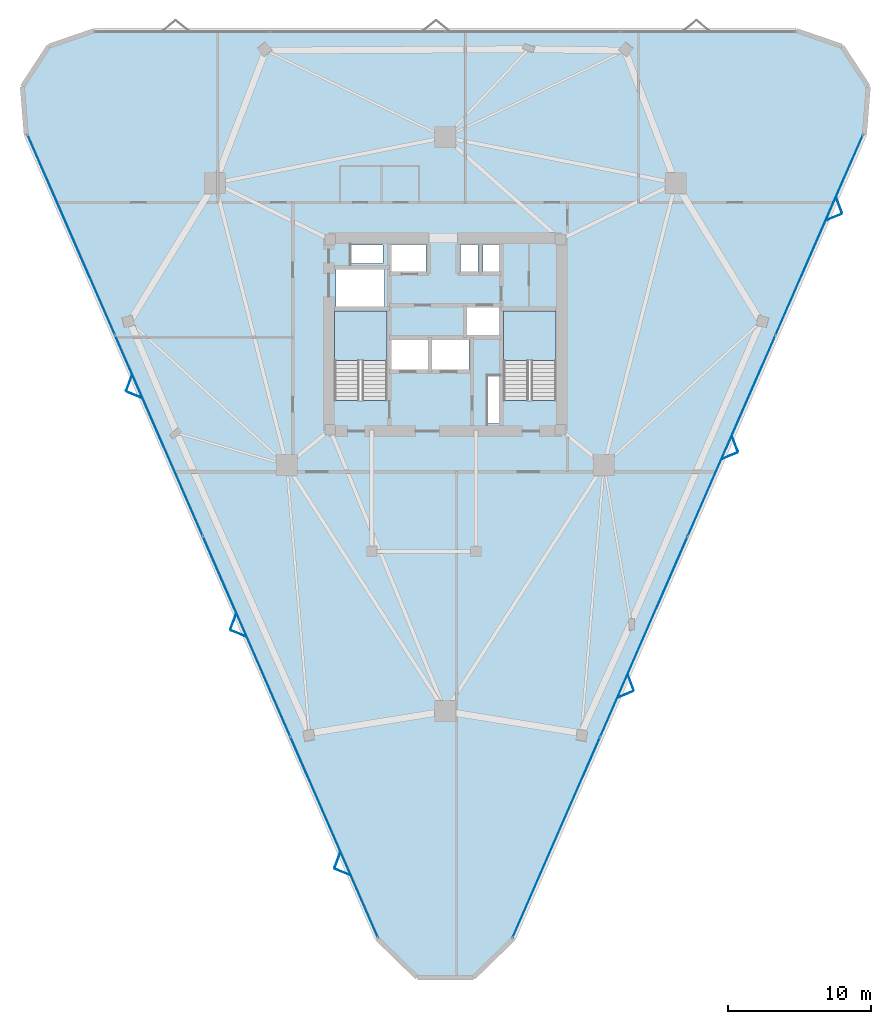
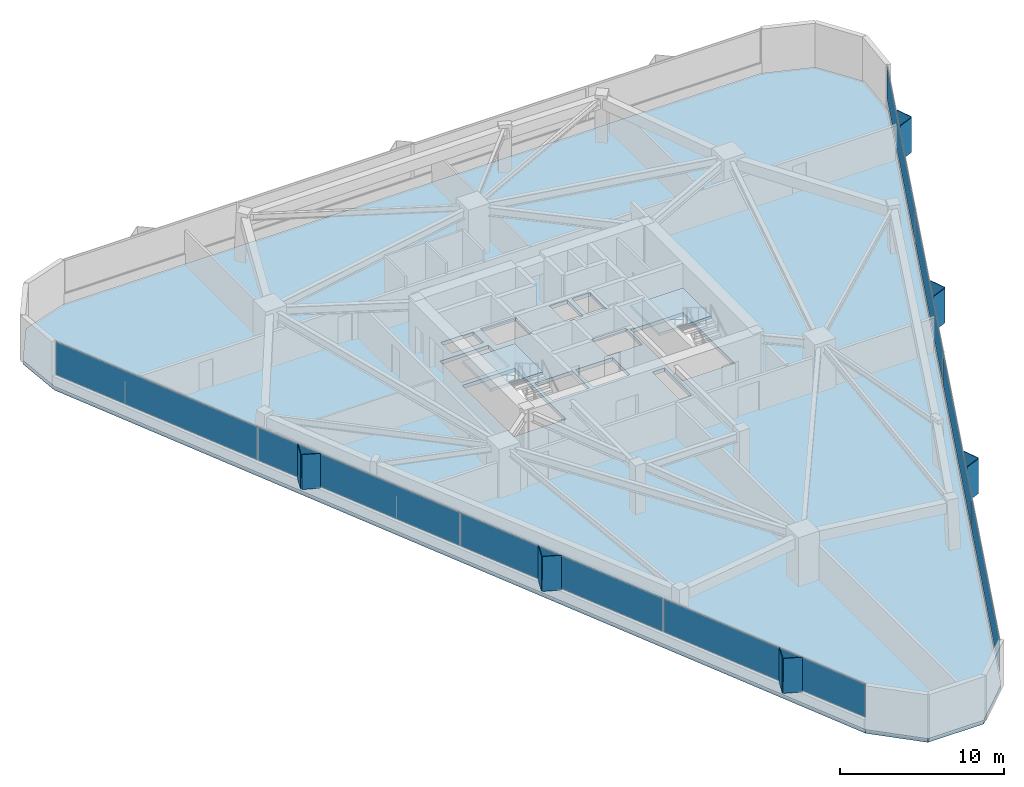
# One storey, part 10 of 14: 20 plates, 3 slabs, 4 elements without a shape of their own.
"""IFC4 building model written with IfcOpenShell, lengths in metres."""

from ifc_helpers import new_model, si_unit, direction, frame, origin, origin_2d, place, context, subcontext, project, spatial, polyline, rectangle, outline, extrude, material, layer, layer_set, type_object, element, aggregate, save


model = new_model("IFC4")

# Units and contexts
model_context = context("Model", 3, precision=1e-05, world=origin(), true_north=direction((0.0, 1.0)))
body_context = subcontext(model_context, "Body", "Model", "MODEL_VIEW")
ifc_project = project(units=[si_unit("LENGTHUNIT", "METRE"), si_unit("AREAUNIT", "SQUARE_METRE"), si_unit("VOLUMEUNIT", "CUBIC_METRE"), si_unit("PLANEANGLEUNIT", "RADIAN"), si_unit("MASSUNIT", "GRAM", prefix="KILO")], contexts=[model_context])

# Site, building, storey
site_placement = place(None, origin())
site = spatial("IfcSite", under=ifc_project, at=site_placement, CompositionType="ELEMENT")
building_placement = place(site_placement, origin())
building = spatial("IfcBuilding", under=site, at=building_placement, Name="Talyreon Biosciences Tower", CompositionType="ELEMENT")
storey_placement = place(building_placement, frame((0.0, 0.0, 130.85009765625)))
storey = spatial("IfcBuildingStorey", under=building, at=storey_placement, Name="L34", CompositionType="ELEMENT", Elevation=130.85009765625)

# Curtain wall, plates
ifc_material_1 = material(Name="Thermally broken aluminium and low-E glazing", Category="aluminium")
ifc_layer_1 = layer(ifc_material_1, 0.18505859375)
ifc_layer_set_1 = layer_set([ifc_layer_1], Name="Thermally broken aluminium and low-E glazing")
curtain_wall_type = type_object("IfcCurtainWallType", Name="CurtainWall_Zone3Bioprocess", PredefinedType="NOTDEFINED", material=ifc_layer_set_1)
curtain_wall_1_placement = place(storey_placement, origin())
curtain_wall_1 = element("IfcCurtainWall", 1, at=curtain_wall_1_placement, inside=storey, type_object=curtain_wall_type, Name="L34 Unitised Curtain Wall FCW-L34-00", PredefinedType="NOTDEFINED")
ifc_material_2 = material(Name="Triple-silver low-E insulated glazing", Category="glass")
ifc_layer_2 = layer(ifc_material_2, 0.031982421875)
ifc_layer_set_2 = layer_set([ifc_layer_2], Name="Triple-silver low-E insulated glazing")
plate_type_1 = type_object("IfcPlateType", Name="CWGlazingPanel_32", PredefinedType="CURTAIN_PANEL", material=ifc_layer_set_2)
plate_1_placement = place(storey_placement, frame((58.235595703125, 32.8623046875, 0.874755859375), z_axis=(0.0, 0.0, 1.0), x_axis=(-0.400058495919, 0.916489607057, 0.0)))
plate_1 = element("IfcPlate", 2, at=plate_1_placement, type_object=plate_type_1, Name="CW4 panel 1.1", PredefinedType="CURTAIN_PANEL", context=body_context, shape_type="SweptSolid", body=[
    extrude(rectangle(XDim=15.227294921875, YDim=0.031982421875, at=origin_2d()), origin(), (0.0, 0.0, 1.0), 2.43505859375),
])
plate_2_placement = place(storey_placement, frame((52.111328125, 46.892333984375, 0.874755859375), z_axis=(0.0, 0.0, 1.0), x_axis=(-0.400058495919, 0.916489607057, 0.0)))
plate_2 = element("IfcPlate", 3, at=plate_2_placement, type_object=plate_type_1, Name="CW4 panel 2.1", PredefinedType="CURTAIN_PANEL", context=body_context, shape_type="SweptSolid", body=[
    extrude(rectangle(XDim=15.259765625, YDim=0.031982421875, at=origin_2d()), origin(), (0.0, 0.0, 1.0), 2.43505859375),
])
plate_3_placement = place(storey_placement, frame((45.980712890625, 60.937255859375, 0.874755859375), z_axis=(0.0, 0.0, 1.0), x_axis=(-0.400058495919, 0.916489607057, 0.0)))
plate_3 = element("IfcPlate", 4, at=plate_3_placement, type_object=plate_type_1, Name="CW4 panel 3.1", PredefinedType="CURTAIN_PANEL", context=body_context, shape_type="SweptSolid", body=[
    extrude(rectangle(XDim=15.259765625, YDim=0.031982421875, at=origin_2d()), origin(), (0.0, 0.0, 1.0), 2.43505859375),
])
plate_4_placement = place(storey_placement, frame((39.8564453125, 74.96728515625, 0.874755859375), z_axis=(0.0, 0.0, 1.0), x_axis=(-0.400058495919, 0.916489607057, 0.0)))
plate_4 = element("IfcPlate", 5, at=plate_4_placement, type_object=plate_type_1, Name="CW4 panel 4.1", PredefinedType="CURTAIN_PANEL", context=body_context, shape_type="SweptSolid", body=[
    extrude(rectangle(XDim=15.227294921875, YDim=0.031982421875, at=origin_2d()), origin(), (0.0, 0.0, 1.0), 2.43505859375),
])
aggregate(curtain_wall_1, [plate_1, plate_2, plate_3, plate_4])

curtain_wall_2_placement = place(storey_placement, origin())
curtain_wall_2 = element("IfcCurtainWall", 6, at=curtain_wall_2_placement, inside=storey, type_object=curtain_wall_type, Name="L34 Unitised Curtain Wall FCW-L34-08", PredefinedType="NOTDEFINED")
plate_5_placement = place(storey_placement, frame((92.1435546875, 74.96728515625, 0.874755859375), z_axis=(0.0, 0.0, 1.0), x_axis=(-0.400058495919, -0.916489607057, 0.0)))
plate_5 = element("IfcPlate", 7, at=plate_5_placement, type_object=plate_type_1, Name="CW4 panel 1.1", PredefinedType="CURTAIN_PANEL", context=body_context, shape_type="SweptSolid", body=[
    extrude(rectangle(XDim=15.227294921875, YDim=0.031982421875, at=origin_2d()), origin(), (0.0, 0.0, 1.0), 2.43505859375),
])
plate_6_placement = place(storey_placement, frame((86.019287109375, 60.937255859375, 0.874755859375), z_axis=(0.0, 0.0, 1.0), x_axis=(-0.400058495919, -0.916489607057, 0.0)))
plate_6 = element("IfcPlate", 8, at=plate_6_placement, type_object=plate_type_1, Name="CW4 panel 2.1", PredefinedType="CURTAIN_PANEL", context=body_context, shape_type="SweptSolid", body=[
    extrude(rectangle(XDim=15.259765625, YDim=0.031982421875, at=origin_2d()), origin(), (0.0, 0.0, 1.0), 2.43505859375),
])
plate_7_placement = place(storey_placement, frame((79.888671875, 46.892333984375, 0.874755859375), z_axis=(0.0, 0.0, 1.0), x_axis=(-0.400058495919, -0.916489607057, 0.0)))
plate_7 = element("IfcPlate", 9, at=plate_7_placement, type_object=plate_type_1, Name="CW4 panel 3.1", PredefinedType="CURTAIN_PANEL", context=body_context, shape_type="SweptSolid", body=[
    extrude(rectangle(XDim=15.259765625, YDim=0.031982421875, at=origin_2d()), origin(), (0.0, 0.0, 1.0), 2.43505859375),
])
plate_8_placement = place(storey_placement, frame((73.764404296875, 32.8623046875, 0.874755859375), z_axis=(0.0, 0.0, 1.0), x_axis=(-0.400058495919, -0.916489607057, 0.0)))
plate_8 = element("IfcPlate", 10, at=plate_8_placement, type_object=plate_type_1, Name="CW4 panel 4.1", PredefinedType="CURTAIN_PANEL", context=body_context, shape_type="SweptSolid", body=[
    extrude(rectangle(XDim=15.227294921875, YDim=0.031982421875, at=origin_2d()), origin(), (0.0, 0.0, 1.0), 2.43505859375),
])
aggregate(curtain_wall_2, [plate_5, plate_6, plate_7, plate_8])

# Plates
ifc_material_3 = material(Name="Ivory GFRC sunshade panel", Category="concrete")
ifc_layer_3 = layer(ifc_material_3, 0.044921875)
ifc_layer_set_3 = layer_set([ifc_layer_3], Name="Ivory GFRC sunshade panel")
plate_type_2 = type_object("IfcPlateType", Name="FoldedVSunshade_SunFace_SUNSHADE", PredefinedType="USERDEFINED", material=ifc_layer_set_3)
for number, where, z_axis, x_axis, name in (
    (11, (58.816162109375, 30.43310546875, 0.7900390625), (0.0, 0.0, 1.0), (-0.9244262712, 0.381360812243, 0.0), "L34 Folded V-Sunshade Panel 00.01L"),
    (12, (58.4560546875, 31.2578125, 0.7900390625), (0.0, 0.0, 1.0), (0.348866485937, 0.937172436102, 0.0), "L34 Folded V-Sunshade Panel 00.01R"),
    (13, (51.534912109375, 47.11328125, 0.7900390625), (0.0, 0.0, 1.0), (-0.9244262712, 0.381360812243, 0.0), "L34 Folded V-Sunshade Panel 00.02L"),
    (14, (51.1748046875, 47.93798828125, 0.7900390625), (0.0, 0.0, 1.0), (0.348866485937, 0.937172436102, 0.0), "L34 Folded V-Sunshade Panel 00.02R"),
    (15, (44.25390625, 63.793212890625, 0.7900390625), (0.0, 0.0, 1.0), (-0.9244262712, 0.381360812243, 0.0), "L34 Folded V-Sunshade Panel 00.03L"),
    (16, (43.893798828125, 64.6181640625, 0.7900390625), (0.0, 0.0, 1.0), (0.348866485937, 0.937172436102, 0.0), "L34 Folded V-Sunshade Panel 00.03R"),
    (17, (93.530517578125, 77.044677734375, 0.7900390625), (0.0, 0.0, 1.0), (0.348866485937, -0.937172436102, 0.0), "L34 Folded V-Sunshade Panel 08.01L"),
    (18, (93.17041015625, 76.2197265625, 0.7900390625), (0.0, 0.0, 1.0), (-0.9244262712, -0.381360812243, 0.0), "L34 Folded V-Sunshade Panel 08.01R"),
    (19, (86.24951171875, 60.364501953125, 0.7900390625), (0.0, 0.0, 1.0), (0.348866485937, -0.937172436102, 0.0), "L34 Folded V-Sunshade Panel 08.02L"),
    (20, (85.889404296875, 59.539794921875, 0.7900390625), (0.0, 0.0, 1.0), (-0.9244262712, -0.381360812243, 0.0), "L34 Folded V-Sunshade Panel 08.02R"),
    (21, (78.96826171875, 43.684326171875, 0.7900390625), (0.0, 0.0, 1.0), (0.348866485937, -0.937172436102, 0.0), "L34 Folded V-Sunshade Panel 08.03L"),
    (22, (78.608154296875, 42.859619140625, 0.7900390625), (0.0, 0.0, 1.0), (-0.9244262712, -0.381360812243, 0.0), "L34 Folded V-Sunshade Panel 08.03R"),
):
    element("IfcPlate", number, at=place(storey_placement, frame(where, z_axis=z_axis, x_axis=x_axis)), inside=storey, type_object=plate_type_2, Name=name, ObjectType="SUNSHADE", PredefinedType="USERDEFINED", context=body_context, shape_type="SweptSolid", body=[
        extrude(rectangle(XDim=1.14990234375, YDim=0.044921875, at=origin_2d()), origin(), (0.0, 0.0, 1.0), 2.5849609375),
    ])

# Stair, slab
ifc_material_4 = material(Name="Concrete C40/50", Category="concrete")
stair_type = type_object("IfcStairType", Name="DoglegEscapeStair_3650", PredefinedType="HALF_TURN_STAIR", material=ifc_material_4)
stair_1_placement = place(storey_placement, origin())
stair_1 = element("IfcStair", 23, at=stair_1_placement, inside=storey, type_object=stair_type, Name="L34 Core Escape Stair 1", PredefinedType="HALF_TURN_STAIR")
ifc_layer_4 = layer(ifc_material_4, 0.199951171875)
ifc_layer_set_4 = layer_set([ifc_layer_4], Name="Concrete C40/50")
slab_type_1 = type_object("IfcSlabType", Name="StairLandingSlab_200", PredefinedType="LANDING", material=ifc_layer_set_4)
slab_1_placement = place(storey_placement, frame((0.0, 0.0, 1.625)))
slab_1 = element("IfcSlab", 24, at=slab_1_placement, type_object=slab_type_1, Name="ST-1 landing 1", PredefinedType="LANDING", context=body_context, shape_type="SweptSolid", body=[
    extrude(outline(polyline([(61.929931640625, 66.199951171875), (61.929931640625, 69.64990234375), (58.25, 69.64990234375), (58.25, 66.199951171875), (61.929931640625, 66.199951171875)])), origin(), (0.0, 0.0, 1.0), 0.199951171875),
])
aggregate(stair_1, [slab_1])

stair_2_placement = place(storey_placement, origin())
stair_2 = element("IfcStair", 25, at=stair_2_placement, inside=storey, type_object=stair_type, Name="L34 Core Escape Stair 2", PredefinedType="HALF_TURN_STAIR")
slab_2_placement = place(storey_placement, frame((0.0, 0.0, 1.625)))
slab_2 = element("IfcSlab", 26, at=slab_2_placement, type_object=slab_type_1, Name="ST-2 landing 1", PredefinedType="LANDING", context=body_context, shape_type="SweptSolid", body=[
    extrude(outline(polyline([(73.75, 66.199951171875), (73.75, 69.64990234375), (70.070068359375, 69.64990234375), (70.070068359375, 66.199951171875), (73.75, 66.199951171875)])), origin(), (0.0, 0.0, 1.0), 0.199951171875),
])
aggregate(stair_2, [slab_2])

# Slab
ifc_layer_5 = layer(ifc_material_4, 0.27490234375)
ifc_layer_set_5 = layer_set([ifc_layer_5], Name="Concrete C40/50")
slab_type_2 = type_object("IfcSlabType", Name="WetLabFloorSlab_275", PredefinedType="FLOOR", material=ifc_layer_set_5)
slab_3_placement = place(storey_placement, frame((0.0, 0.0, -0.275146484375)))
element("IfcSlab", 27, at=slab_3_placement, inside=storey, type_object=slab_type_2, Name="L34 Structural Floor Slab", PredefinedType="FLOOR", context=body_context, shape_type="SweptSolid", body=[
    extrude(outline(polyline([(61.234375, 25.79296875), (36.711181640625, 81.97265625), (36.4375, 85.335693359375), (38.285400390625, 88.158447265625), (41.476806640625, 89.2529296875), (90.523193359375, 89.2529296875), (93.714599609375, 88.158447265625), (95.5625, 85.335693359375), (95.288818359375, 81.97265625), (70.765625, 25.79296875), (67.959716796875, 23.056640625), (64.040283203125, 23.056640625), (61.234375, 25.79296875)]), holes=[polyline([(61.929931640625, 69.64990234375), (61.929931640625, 63.407958984375), (58.25, 63.407958984375), (58.25, 69.64990234375), (61.929931640625, 69.64990234375)]), polyline([(64.800048828125, 67.64990234375), (64.800048828125, 65.550048828125), (62.199951171875, 65.550048828125), (62.199951171875, 67.64990234375), (64.800048828125, 67.64990234375)]), polyline([(67.64990234375, 67.64990234375), (67.64990234375, 65.550048828125), (65.050048828125, 65.550048828125), (65.050048828125, 67.64990234375), (67.64990234375, 67.64990234375)]), polyline([(61.75, 69.97998046875), (58.35009765625, 69.97998046875), (58.35009765625, 72.550048828125), (61.75, 72.550048828125), (61.75, 69.97998046875)]), polyline([(64.64990234375, 72.35009765625), (62.199951171875, 72.35009765625), (62.199951171875, 74.300048828125), (64.64990234375, 74.300048828125), (64.64990234375, 72.35009765625)]), polyline([(61.64990234375, 74.25), (61.64990234375, 72.9599609375), (59.39990234375, 72.9599609375), (59.39990234375, 74.25), (61.64990234375, 74.25)]), polyline([(69.820068359375, 61.800048828125), (68.9599609375, 61.800048828125), (68.9599609375, 65.10009765625), (69.820068359375, 65.10009765625), (69.820068359375, 61.800048828125)]), polyline([(73.75, 63.407958984375), (70.070068359375, 63.407958984375), (70.070068359375, 69.64990234375), (73.75, 69.64990234375), (73.75, 63.407958984375)]), polyline([(69.89990234375, 69.949951171875), (69.89990234375, 67.949951171875), (67.5, 67.949951171875), (67.5, 69.949951171875), (69.89990234375, 69.949951171875)]), polyline([(68.300048828125, 72.35009765625), (67.050048828125, 72.35009765625), (67.050048828125, 74.300048828125), (68.300048828125, 74.300048828125), (68.300048828125, 72.35009765625)]), polyline([(69.919921875, 72.35009765625), (68.6201171875, 72.35009765625), (68.6201171875, 74.300048828125), (69.919921875, 74.300048828125), (69.919921875, 72.35009765625)])]), origin(), (0.0, 0.0, 1.0), 0.275146484375),
])

save(model, "model.ifc")
